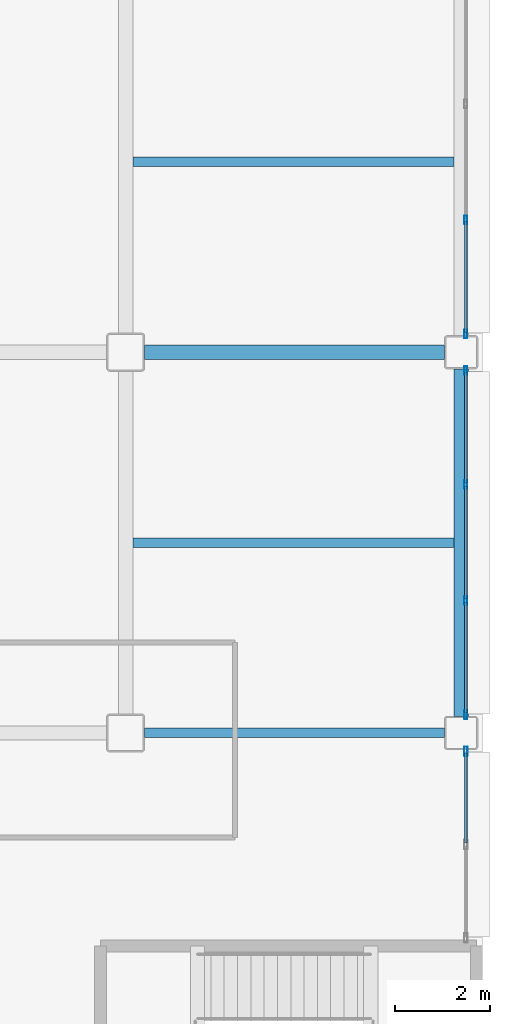
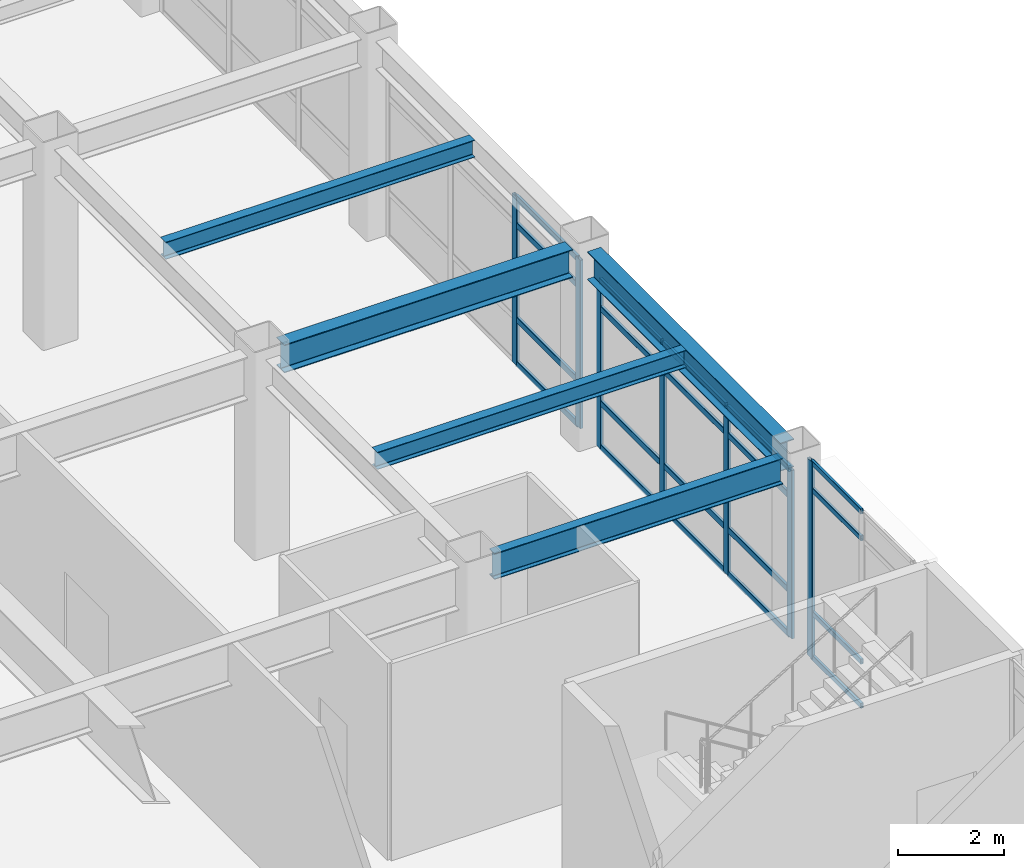
# One storey, part 105 of 154: 27 members, 5 beams, 3 elements without a shape of their own.
"""IFC4 building model written with IfcOpenShell, lengths in metres."""

from ifc_helpers import new_model, si_unit, direction, frame, origin, origin_2d, place, context, subcontext, project, spatial, hollow_rectangle, i_section, extrude, material, layer, layer_set, material_profile, profile_set, type_object, element, aggregate, save


model = new_model("IFC4")

# Units and contexts
model_context = context("Model", 3, precision=1e-05, world=origin(), true_north=direction((0.0, 1.0)))
body_context = subcontext(model_context, "Body", "Model", "MODEL_VIEW")
ifc_project = project(units=[si_unit("LENGTHUNIT", "METRE"), si_unit("AREAUNIT", "SQUARE_METRE"), si_unit("VOLUMEUNIT", "CUBIC_METRE"), si_unit("PLANEANGLEUNIT", "RADIAN"), si_unit("MASSUNIT", "GRAM", prefix="KILO")], contexts=[model_context])

# Site, building, storey
site_placement = place(None, origin())
site = spatial("IfcSite", under=ifc_project, at=site_placement, CompositionType="ELEMENT")
building_placement = place(site_placement, origin())
building = spatial("IfcBuilding", under=site, at=building_placement, Name="Kazehara Bluff Congress Hotel", CompositionType="ELEMENT")
storey_placement = place(building_placement, frame((0.0, 0.0, 10.199951171875)))
storey = spatial("IfcBuildingStorey", under=building, at=storey_placement, Name="L02", CompositionType="ELEMENT", Elevation=10.199951171875)

# Curtain wall, members
ifc_material_1 = material(Name="Anodised aluminium", Category="aluminium")
ifc_layer_1 = layer(ifc_material_1, 0.159912109375)
ifc_layer_set_1 = layer_set([ifc_layer_1], Name="Anodised aluminium")
curtain_wall_type_1 = type_object("IfcCurtainWallType", Name="TP-CW-80", PredefinedType="NOTDEFINED", material=ifc_layer_set_1)
curtain_wall_1_placement = place(storey_placement, origin())
curtain_wall_1 = element("IfcCurtainWall", 1, at=curtain_wall_1_placement, inside=storey, type_object=curtain_wall_type_1, Name="L02 curtain wall CW-80 CW-ENC-V5-L02-16765-8490", PredefinedType="NOTDEFINED")
ifc_material_2 = material(Name="Anodised aluminium", Category="aluminium")
ifc_material_profile_1 = material_profile(ifc_material_2, hollow_rectangle(XDim=0.06494140625, YDim=0.179931640625, WallThickness=0.00390625, InnerFilletRadius=0.00390625, OuterFilletRadius=0.008056640625, at=origin_2d()))
ifc_profile_set_1 = profile_set([ifc_material_profile_1], Name="Anodised aluminium")
member_type_1 = type_object("IfcMemberType", Name="TP-CWM-02", PredefinedType="MULLION", material=ifc_profile_set_1)
member_1_placement = place(storey_placement, frame((167.64990234375, 88.517578125, 0.0), z_axis=(0.0, 0.0, 1.0), x_axis=(1.0, 0.0, 0.0)))
member_1 = element("IfcMember", 2, at=member_1_placement, type_object=member_type_1, Name="CW-80 mullion 1", PredefinedType="MULLION", context=body_context, shape_type="SweptSolid", body=[
    extrude(hollow_rectangle(XDim=0.06494140625, YDim=0.179931640625, WallThickness=0.00390625, InnerFilletRadius=0.00390625, OuterFilletRadius=0.008056640625, at=origin_2d()), origin(), (0.0, 0.0, 1.0), 3.885009765625),
])
member_2_placement = place(storey_placement, frame((167.64990234375, 86.11669921875, 0.0), z_axis=(0.0, 0.0, 1.0), x_axis=(1.0, 0.0, 0.0)))
member_2 = element("IfcMember", 3, at=member_2_placement, type_object=member_type_1, Name="CW-80 mullion 2", PredefinedType="MULLION", context=body_context, shape_type="SweptSolid", body=[
    extrude(hollow_rectangle(XDim=0.06494140625, YDim=0.179931640625, WallThickness=0.00390625, InnerFilletRadius=0.00390625, OuterFilletRadius=0.008056640625, at=origin_2d()), origin(), (0.0, 0.0, 1.0), 3.885009765625),
])
member_3_placement = place(storey_placement, frame((167.64990234375, 83.683349609375, 0.0), z_axis=(0.0, 0.0, 1.0), x_axis=(1.0, 0.0, 0.0)))
member_3 = element("IfcMember", 4, at=member_3_placement, type_object=member_type_1, Name="CW-80 mullion 3", PredefinedType="MULLION", context=body_context, shape_type="SweptSolid", body=[
    extrude(hollow_rectangle(XDim=0.06494140625, YDim=0.179931640625, WallThickness=0.00390625, InnerFilletRadius=0.00390625, OuterFilletRadius=0.008056640625, at=origin_2d()), origin(), (0.0, 0.0, 1.0), 3.885009765625),
])
member_4_placement = place(storey_placement, frame((167.64990234375, 81.282470703125, 0.0), z_axis=(0.0, 0.0, 1.0), x_axis=(1.0, 0.0, 0.0)))
member_4 = element("IfcMember", 5, at=member_4_placement, type_object=member_type_1, Name="CW-80 mullion 4", PredefinedType="MULLION", context=body_context, shape_type="SweptSolid", body=[
    extrude(hollow_rectangle(XDim=0.06494140625, YDim=0.179931640625, WallThickness=0.00390625, InnerFilletRadius=0.00390625, OuterFilletRadius=0.008056640625, at=origin_2d()), origin(), (0.0, 0.0, 1.0), 3.885009765625),
])

curtain_wall_2_placement = place(storey_placement, origin())
curtain_wall_2 = element("IfcCurtainWall", 6, at=curtain_wall_2_placement, inside=storey, type_object=curtain_wall_type_1, Name="L02 curtain wall CW-80 CW-ENC-V5-L02-16765-9290", PredefinedType="NOTDEFINED")
member_5_placement = place(storey_placement, frame((167.64990234375, 91.683349609375, 0.0), z_axis=(0.0, 0.0, 1.0), x_axis=(1.0, 0.0, 0.0)))
member_5 = element("IfcMember", 7, at=member_5_placement, type_object=member_type_1, Name="CW-80 mullion 3", PredefinedType="MULLION", context=body_context, shape_type="SweptSolid", body=[
    extrude(hollow_rectangle(XDim=0.06494140625, YDim=0.179931640625, WallThickness=0.00390625, InnerFilletRadius=0.00390625, OuterFilletRadius=0.008056640625, at=origin_2d()), origin(), (0.0, 0.0, 1.0), 3.885009765625),
])
member_6_placement = place(storey_placement, frame((167.64990234375, 89.282470703125, 0.0), z_axis=(0.0, 0.0, 1.0), x_axis=(1.0, 0.0, 0.0)))
member_6 = element("IfcMember", 8, at=member_6_placement, type_object=member_type_1, Name="CW-80 mullion 4", PredefinedType="MULLION", context=body_context, shape_type="SweptSolid", body=[
    extrude(hollow_rectangle(XDim=0.06494140625, YDim=0.179931640625, WallThickness=0.00390625, InnerFilletRadius=0.00390625, OuterFilletRadius=0.008056640625, at=origin_2d()), origin(), (0.0, 0.0, 1.0), 3.885009765625),
])

ifc_material_3 = material(Name="Anodised aluminium", Category="aluminium")
ifc_layer_2 = layer(ifc_material_3, 0.159912109375)
ifc_layer_set_2 = layer_set([ifc_layer_2], Name="Anodised aluminium")
curtain_wall_type_2 = type_object("IfcCurtainWallType", Name="TP-CW-116", PredefinedType="NOTDEFINED", material=ifc_layer_set_2)
curtain_wall_3_placement = place(storey_placement, origin())
curtain_wall_3 = element("IfcCurtainWall", 9, at=curtain_wall_3_placement, inside=storey, type_object=curtain_wall_type_2, Name="L02 curtain wall CW-116 CW-ENC-V5-L02-16765-7856", PredefinedType="NOTDEFINED")
ifc_material_4 = material(Name="Anodised aluminium", Category="aluminium")
ifc_material_profile_2 = material_profile(ifc_material_4, hollow_rectangle(XDim=0.070068359375, YDim=0.199951171875, WallThickness=0.0048828125, InnerFilletRadius=0.0048828125, OuterFilletRadius=0.010009765625, at=origin_2d()))
ifc_profile_set_2 = profile_set([ifc_material_profile_2], Name="Anodised aluminium")
member_type_2 = type_object("IfcMemberType", Name="TP-CWM-03", PredefinedType="MULLION", material=ifc_profile_set_2)
member_7_placement = place(storey_placement, frame((167.64990234375, 80.514892578125, 0.0), z_axis=(0.0, 0.0, 1.0), x_axis=(1.0, 0.0, 0.0)))
member_7 = element("IfcMember", 10, at=member_7_placement, type_object=member_type_2, Name="CW-116 mullion 1", PredefinedType="MULLION", context=body_context, shape_type="SweptSolid", body=[
    extrude(hollow_rectangle(XDim=0.070068359375, YDim=0.199951171875, WallThickness=0.0048828125, InnerFilletRadius=0.0048828125, OuterFilletRadius=0.010009765625, at=origin_2d()), origin(), (0.0, 0.0, 1.0), 4.545166015625),
])
ifc_material_5 = material(Name="Anodised aluminium", Category="aluminium")
ifc_material_profile_3 = material_profile(ifc_material_5, hollow_rectangle(XDim=0.06005859375, YDim=0.1201171875, WallThickness=0.00390625, InnerFilletRadius=0.00390625, OuterFilletRadius=0.008056640625, at=origin_2d()))
ifc_profile_set_3 = profile_set([ifc_material_profile_3], Name="Anodised aluminium")
member_type_3 = type_object("IfcMemberType", Name="TP-CWT-01", PredefinedType="USERDEFINED", material=ifc_profile_set_3)
member_8_placement = place(storey_placement, frame((167.64990234375, 80.47998046875, 0.030029296875), z_axis=(0.0, -1.0, 0.0), x_axis=(1.0, 0.0, 0.0)))
member_8 = element("IfcMember", 11, at=member_8_placement, type_object=member_type_3, Name="CW-116 transom 1.1", ObjectType="TRANSOM", PredefinedType="USERDEFINED", context=body_context, shape_type="SweptSolid", body=[
    extrude(hollow_rectangle(XDim=0.06005859375, YDim=0.1201171875, WallThickness=0.00390625, InnerFilletRadius=0.00390625, OuterFilletRadius=0.008056640625, at=origin_2d()), origin(), (0.0, 0.0, 1.0), 1.889892578125),
])
member_9_placement = place(storey_placement, frame((167.64990234375, 80.47998046875, 1.050048828125), z_axis=(0.0, -1.0, 0.0), x_axis=(1.0, 0.0, 0.0)))
member_9 = element("IfcMember", 12, at=member_9_placement, type_object=member_type_3, Name="CW-116 transom 1.2", ObjectType="TRANSOM", PredefinedType="USERDEFINED", context=body_context, shape_type="SweptSolid", body=[
    extrude(hollow_rectangle(XDim=0.06005859375, YDim=0.1201171875, WallThickness=0.00390625, InnerFilletRadius=0.00390625, OuterFilletRadius=0.008056640625, at=origin_2d()), origin(), (0.0, 0.0, 1.0), 1.889892578125),
])
member_10_placement = place(storey_placement, frame((167.64990234375, 80.47998046875, 3.89501953125), z_axis=(0.0, -1.0, 0.0), x_axis=(1.0, 0.0, 0.0)))
member_10 = element("IfcMember", 13, at=member_10_placement, type_object=member_type_3, Name="CW-116 transom 1.3", ObjectType="TRANSOM", PredefinedType="USERDEFINED", context=body_context, shape_type="SweptSolid", body=[
    extrude(hollow_rectangle(XDim=0.06005859375, YDim=0.1201171875, WallThickness=0.00390625, InnerFilletRadius=0.00390625, OuterFilletRadius=0.008056640625, at=origin_2d()), origin(), (0.0, 0.0, 1.0), 1.889892578125),
])
member_11_placement = place(storey_placement, frame((167.64990234375, 80.47998046875, 4.51513671875), z_axis=(0.0, -1.0, 0.0), x_axis=(1.0, 0.0, 0.0)))
member_11 = element("IfcMember", 14, at=member_11_placement, type_object=member_type_3, Name="CW-116 transom 1.4", ObjectType="TRANSOM", PredefinedType="USERDEFINED", context=body_context, shape_type="SweptSolid", body=[
    extrude(hollow_rectangle(XDim=0.06005859375, YDim=0.1201171875, WallThickness=0.00390625, InnerFilletRadius=0.00390625, OuterFilletRadius=0.008056640625, at=origin_2d()), origin(), (0.0, 0.0, 1.0), 1.889892578125),
])
aggregate(curtain_wall_3, [member_7, member_8, member_9, member_10, member_11])

# Member
ifc_material_6 = material(Name="Anodised aluminium", Category="aluminium")
ifc_material_profile_4 = material_profile(ifc_material_6, hollow_rectangle(XDim=0.06494140625, YDim=0.139892578125, WallThickness=0.00390625, InnerFilletRadius=0.00390625, OuterFilletRadius=0.008056640625, at=origin_2d()))
ifc_profile_set_4 = profile_set([ifc_material_profile_4], Name="Anodised aluminium")
member_type_4 = type_object("IfcMemberType", Name="TP-CWT-02", PredefinedType="USERDEFINED", material=ifc_profile_set_4)
member_12_placement = place(storey_placement, frame((167.64990234375, 88.485107421875, 0.032470703125), z_axis=(0.0, -1.0, 0.0), x_axis=(1.0, 0.0, 0.0)))
member_12 = element("IfcMember", 15, at=member_12_placement, type_object=member_type_4, Name="CW-80 transom 1.1", ObjectType="TRANSOM", PredefinedType="USERDEFINED", context=body_context, shape_type="SweptSolid", body=[
    extrude(hollow_rectangle(XDim=0.06494140625, YDim=0.139892578125, WallThickness=0.00390625, InnerFilletRadius=0.00390625, OuterFilletRadius=0.008056640625, at=origin_2d()), origin(), (0.0, 0.0, 1.0), 2.3359375),
])

member_13_placement = place(storey_placement, frame((167.64990234375, 88.485107421875, 1.050048828125), z_axis=(0.0, -1.0, 0.0), x_axis=(1.0, 0.0, 0.0)))
member_13 = element("IfcMember", 16, at=member_13_placement, type_object=member_type_4, Name="CW-80 transom 1.2", ObjectType="TRANSOM", PredefinedType="USERDEFINED", context=body_context, shape_type="SweptSolid", body=[
    extrude(hollow_rectangle(XDim=0.06494140625, YDim=0.139892578125, WallThickness=0.00390625, InnerFilletRadius=0.00390625, OuterFilletRadius=0.008056640625, at=origin_2d()), origin(), (0.0, 0.0, 1.0), 2.3359375),
])

member_14_placement = place(storey_placement, frame((167.64990234375, 88.485107421875, 3.235107421875), z_axis=(0.0, -1.0, 0.0), x_axis=(1.0, 0.0, 0.0)))
member_14 = element("IfcMember", 17, at=member_14_placement, type_object=member_type_4, Name="CW-80 transom 1.3", ObjectType="TRANSOM", PredefinedType="USERDEFINED", context=body_context, shape_type="SweptSolid", body=[
    extrude(hollow_rectangle(XDim=0.06494140625, YDim=0.139892578125, WallThickness=0.00390625, InnerFilletRadius=0.00390625, OuterFilletRadius=0.008056640625, at=origin_2d()), origin(), (0.0, 0.0, 1.0), 2.3359375),
])

member_15_placement = place(storey_placement, frame((167.64990234375, 88.485107421875, 3.8525390625), z_axis=(0.0, -1.0, 0.0), x_axis=(1.0, 0.0, 0.0)))
member_15 = element("IfcMember", 18, at=member_15_placement, type_object=member_type_4, Name="CW-80 transom 1.4", ObjectType="TRANSOM", PredefinedType="USERDEFINED", context=body_context, shape_type="SweptSolid", body=[
    extrude(hollow_rectangle(XDim=0.06494140625, YDim=0.139892578125, WallThickness=0.00390625, InnerFilletRadius=0.00390625, OuterFilletRadius=0.008056640625, at=origin_2d()), origin(), (0.0, 0.0, 1.0), 2.3359375),
])

member_16_placement = place(storey_placement, frame((167.64990234375, 86.084228515625, 0.032470703125), z_axis=(0.0, -1.0, 0.0), x_axis=(1.0, 0.0, 0.0)))
member_16 = element("IfcMember", 19, at=member_16_placement, type_object=member_type_4, Name="CW-80 transom 2.1", ObjectType="TRANSOM", PredefinedType="USERDEFINED", context=body_context, shape_type="SweptSolid", body=[
    extrude(hollow_rectangle(XDim=0.06494140625, YDim=0.139892578125, WallThickness=0.00390625, InnerFilletRadius=0.00390625, OuterFilletRadius=0.008056640625, at=origin_2d()), origin(), (0.0, 0.0, 1.0), 2.368408203125),
])

member_17_placement = place(storey_placement, frame((167.64990234375, 86.084228515625, 1.050048828125), z_axis=(0.0, -1.0, 0.0), x_axis=(1.0, 0.0, 0.0)))
member_17 = element("IfcMember", 20, at=member_17_placement, type_object=member_type_4, Name="CW-80 transom 2.2", ObjectType="TRANSOM", PredefinedType="USERDEFINED", context=body_context, shape_type="SweptSolid", body=[
    extrude(hollow_rectangle(XDim=0.06494140625, YDim=0.139892578125, WallThickness=0.00390625, InnerFilletRadius=0.00390625, OuterFilletRadius=0.008056640625, at=origin_2d()), origin(), (0.0, 0.0, 1.0), 2.368408203125),
])

member_18_placement = place(storey_placement, frame((167.64990234375, 86.084228515625, 3.235107421875), z_axis=(0.0, -1.0, 0.0), x_axis=(1.0, 0.0, 0.0)))
member_18 = element("IfcMember", 21, at=member_18_placement, type_object=member_type_4, Name="CW-80 transom 2.3", ObjectType="TRANSOM", PredefinedType="USERDEFINED", context=body_context, shape_type="SweptSolid", body=[
    extrude(hollow_rectangle(XDim=0.06494140625, YDim=0.139892578125, WallThickness=0.00390625, InnerFilletRadius=0.00390625, OuterFilletRadius=0.008056640625, at=origin_2d()), origin(), (0.0, 0.0, 1.0), 2.368408203125),
])

member_19_placement = place(storey_placement, frame((167.64990234375, 86.084228515625, 3.8525390625), z_axis=(0.0, -1.0, 0.0), x_axis=(1.0, 0.0, 0.0)))
member_19 = element("IfcMember", 22, at=member_19_placement, type_object=member_type_4, Name="CW-80 transom 2.4", ObjectType="TRANSOM", PredefinedType="USERDEFINED", context=body_context, shape_type="SweptSolid", body=[
    extrude(hollow_rectangle(XDim=0.06494140625, YDim=0.139892578125, WallThickness=0.00390625, InnerFilletRadius=0.00390625, OuterFilletRadius=0.008056640625, at=origin_2d()), origin(), (0.0, 0.0, 1.0), 2.368408203125),
])

member_20_placement = place(storey_placement, frame((167.64990234375, 83.65087890625, 0.032470703125), z_axis=(0.0, -1.0, 0.0), x_axis=(1.0, 0.0, 0.0)))
member_20 = element("IfcMember", 23, at=member_20_placement, type_object=member_type_4, Name="CW-80 transom 3.1", ObjectType="TRANSOM", PredefinedType="USERDEFINED", context=body_context, shape_type="SweptSolid", body=[
    extrude(hollow_rectangle(XDim=0.06494140625, YDim=0.139892578125, WallThickness=0.00390625, InnerFilletRadius=0.00390625, OuterFilletRadius=0.008056640625, at=origin_2d()), origin(), (0.0, 0.0, 1.0), 2.3359375),
])

member_21_placement = place(storey_placement, frame((167.64990234375, 83.65087890625, 1.050048828125), z_axis=(0.0, -1.0, 0.0), x_axis=(1.0, 0.0, 0.0)))
member_21 = element("IfcMember", 24, at=member_21_placement, type_object=member_type_4, Name="CW-80 transom 3.2", ObjectType="TRANSOM", PredefinedType="USERDEFINED", context=body_context, shape_type="SweptSolid", body=[
    extrude(hollow_rectangle(XDim=0.06494140625, YDim=0.139892578125, WallThickness=0.00390625, InnerFilletRadius=0.00390625, OuterFilletRadius=0.008056640625, at=origin_2d()), origin(), (0.0, 0.0, 1.0), 2.3359375),
])

member_22_placement = place(storey_placement, frame((167.64990234375, 83.65087890625, 3.235107421875), z_axis=(0.0, -1.0, 0.0), x_axis=(1.0, 0.0, 0.0)))
member_22 = element("IfcMember", 25, at=member_22_placement, type_object=member_type_4, Name="CW-80 transom 3.3", ObjectType="TRANSOM", PredefinedType="USERDEFINED", context=body_context, shape_type="SweptSolid", body=[
    extrude(hollow_rectangle(XDim=0.06494140625, YDim=0.139892578125, WallThickness=0.00390625, InnerFilletRadius=0.00390625, OuterFilletRadius=0.008056640625, at=origin_2d()), origin(), (0.0, 0.0, 1.0), 2.3359375),
])

member_23_placement = place(storey_placement, frame((167.64990234375, 83.65087890625, 3.8525390625), z_axis=(0.0, -1.0, 0.0), x_axis=(1.0, 0.0, 0.0)))
member_23 = element("IfcMember", 26, at=member_23_placement, type_object=member_type_4, Name="CW-80 transom 3.4", ObjectType="TRANSOM", PredefinedType="USERDEFINED", context=body_context, shape_type="SweptSolid", body=[
    extrude(hollow_rectangle(XDim=0.06494140625, YDim=0.139892578125, WallThickness=0.00390625, InnerFilletRadius=0.00390625, OuterFilletRadius=0.008056640625, at=origin_2d()), origin(), (0.0, 0.0, 1.0), 2.3359375),
])

aggregate(curtain_wall_1, [member_1, member_2, member_3, member_4, member_12, member_13, member_14, member_15, member_16, member_17, member_18, member_19, member_20, member_21, member_22, member_23])

member_24_placement = place(storey_placement, frame((167.64990234375, 91.65087890625, 0.032470703125), z_axis=(0.0, -1.0, 0.0), x_axis=(1.0, 0.0, 0.0)))
member_24 = element("IfcMember", 27, at=member_24_placement, type_object=member_type_4, Name="CW-80 transom 3.1", ObjectType="TRANSOM", PredefinedType="USERDEFINED", context=body_context, shape_type="SweptSolid", body=[
    extrude(hollow_rectangle(XDim=0.06494140625, YDim=0.139892578125, WallThickness=0.00390625, InnerFilletRadius=0.00390625, OuterFilletRadius=0.008056640625, at=origin_2d()), origin(), (0.0, 0.0, 1.0), 2.3359375),
])

member_25_placement = place(storey_placement, frame((167.64990234375, 91.65087890625, 1.050048828125), z_axis=(0.0, -1.0, 0.0), x_axis=(1.0, 0.0, 0.0)))
member_25 = element("IfcMember", 28, at=member_25_placement, type_object=member_type_4, Name="CW-80 transom 3.2", ObjectType="TRANSOM", PredefinedType="USERDEFINED", context=body_context, shape_type="SweptSolid", body=[
    extrude(hollow_rectangle(XDim=0.06494140625, YDim=0.139892578125, WallThickness=0.00390625, InnerFilletRadius=0.00390625, OuterFilletRadius=0.008056640625, at=origin_2d()), origin(), (0.0, 0.0, 1.0), 2.3359375),
])

member_26_placement = place(storey_placement, frame((167.64990234375, 91.65087890625, 3.235107421875), z_axis=(0.0, -1.0, 0.0), x_axis=(1.0, 0.0, 0.0)))
member_26 = element("IfcMember", 29, at=member_26_placement, type_object=member_type_4, Name="CW-80 transom 3.3", ObjectType="TRANSOM", PredefinedType="USERDEFINED", context=body_context, shape_type="SweptSolid", body=[
    extrude(hollow_rectangle(XDim=0.06494140625, YDim=0.139892578125, WallThickness=0.00390625, InnerFilletRadius=0.00390625, OuterFilletRadius=0.008056640625, at=origin_2d()), origin(), (0.0, 0.0, 1.0), 2.3359375),
])

member_27_placement = place(storey_placement, frame((167.64990234375, 91.65087890625, 3.8525390625), z_axis=(0.0, -1.0, 0.0), x_axis=(1.0, 0.0, 0.0)))
member_27 = element("IfcMember", 30, at=member_27_placement, type_object=member_type_4, Name="CW-80 transom 3.4", ObjectType="TRANSOM", PredefinedType="USERDEFINED", context=body_context, shape_type="SweptSolid", body=[
    extrude(hollow_rectangle(XDim=0.06494140625, YDim=0.139892578125, WallThickness=0.00390625, InnerFilletRadius=0.00390625, OuterFilletRadius=0.008056640625, at=origin_2d()), origin(), (0.0, 0.0, 1.0), 2.3359375),
])

aggregate(curtain_wall_2, [member_5, member_6, member_24, member_25, member_26, member_27])

# Beams
ifc_material_7 = material(Name="Steel SN490B", Category="steel")
ifc_material_profile_5 = material_profile(ifc_material_7, i_section(OverallWidth=0.300048828125, OverallDepth=0.64990234375, WebThickness=0.011962890625, FlangeThickness=0.02001953125, FilletRadius=0.012939453125, at=origin_2d()))
ifc_profile_set_5 = profile_set([ifc_material_profile_5], Name="Steel SN490B")
beam_type_1 = type_object("IfcBeamType", Name="TP-G-03", PredefinedType="BEAM", material=ifc_profile_set_5)
beam_1_placement = place(storey_placement, frame((167.550048828125, 81.25, 4.235107421875), z_axis=(0.0, 1.0, 0.0), x_axis=(-1.0, 0.0, 0.0)))
element("IfcBeam", 31, at=beam_1_placement, inside=storey, type_object=beam_type_1, Name="L02 girder G-03 176", PredefinedType="BEAM", context=body_context, shape_type="SweptSolid", body=[
    extrude(i_section(OverallWidth=0.300048828125, OverallDepth=0.64990234375, WebThickness=0.011962890625, FlangeThickness=0.02001953125, FilletRadius=0.012939453125, at=origin_2d()), origin(), (0.0, 0.0, 1.0), 7.300048828125),
])
beam_2_placement = place(storey_placement, frame((160.89990234375, 88.89990234375, 4.235107421875), z_axis=(1.0, 0.0, 0.0), x_axis=(0.0, 1.0, 0.0)))
element("IfcBeam", 32, at=beam_2_placement, inside=storey, type_object=beam_type_1, Name="L02 girder G-03 218", PredefinedType="BEAM", context=body_context, shape_type="SweptSolid", body=[
    extrude(i_section(OverallWidth=0.300048828125, OverallDepth=0.64990234375, WebThickness=0.011962890625, FlangeThickness=0.02001953125, FilletRadius=0.012939453125, at=origin_2d()), origin(), (0.0, 0.0, 1.0), 6.300048828125),
])
ifc_material_8 = material(Name="Steel SN400B", Category="steel")
ifc_material_profile_6 = material_profile(ifc_material_8, i_section(OverallWidth=0.199951171875, OverallDepth=0.39990234375, WebThickness=0.008056640625, FlangeThickness=0.012939453125, FilletRadius=0.012939453125, at=origin_2d()))
ifc_profile_set_6 = profile_set([ifc_material_profile_6], Name="Steel SN400B")
beam_type_2 = type_object("IfcBeamType", Name="TP-J-03", PredefinedType="JOIST", material=ifc_profile_set_6)
for number, where, z_axis, x_axis, name in (
    (33, (160.64990234375, 84.89990234375, 4.360107421875), (1.0, 0.0, 0.0), (0.0, 1.0, 0.0), "L02 secondary joist J-03 50"),
    (34, (160.64990234375, 92.89990234375, 4.360107421875), (1.0, 0.0, 0.0), (0.0, 1.0, 0.0), "L02 secondary joist J-03 51"),
):
    element("IfcBeam", number, at=place(storey_placement, frame(where, z_axis=z_axis, x_axis=x_axis)), inside=storey, type_object=beam_type_2, Name=name, PredefinedType="JOIST", context=body_context, shape_type="SweptSolid", body=[
        extrude(i_section(OverallWidth=0.199951171875, OverallDepth=0.39990234375, WebThickness=0.008056640625, FlangeThickness=0.012939453125, FilletRadius=0.012939453125, at=origin_2d()), origin(), (0.0, 0.0, 1.0), 6.75),
    ])
ifc_material_9 = material(Name="Steel SN490B", Category="steel")
ifc_material_profile_7 = material_profile(ifc_material_9, i_section(OverallWidth=0.199951171875, OverallDepth=0.60009765625, WebThickness=0.010986328125, FlangeThickness=0.01708984375, FilletRadius=0.012939453125, at=origin_2d()))
ifc_profile_set_7 = profile_set([ifc_material_profile_7], Name="Steel SN490B")
beam_type_3 = type_object("IfcBeamType", Name="TP-SP-02", PredefinedType="SPANDREL", material=ifc_profile_set_7)
beam_3_placement = place(storey_placement, frame((160.89990234375, 80.89990234375, 4.260009765625), z_axis=(1.0, 0.0, 0.0), x_axis=(0.0, 1.0, 0.0)))
element("IfcBeam", 35, at=beam_3_placement, inside=storey, type_object=beam_type_3, Name="L02 girder SP-02 216", PredefinedType="SPANDREL", context=body_context, shape_type="SweptSolid", body=[
    extrude(i_section(OverallWidth=0.199951171875, OverallDepth=0.60009765625, WebThickness=0.010986328125, FlangeThickness=0.01708984375, FilletRadius=0.012939453125, at=origin_2d()), origin(), (0.0, 0.0, 1.0), 6.300048828125),
])

save(model, "model.ifc")
